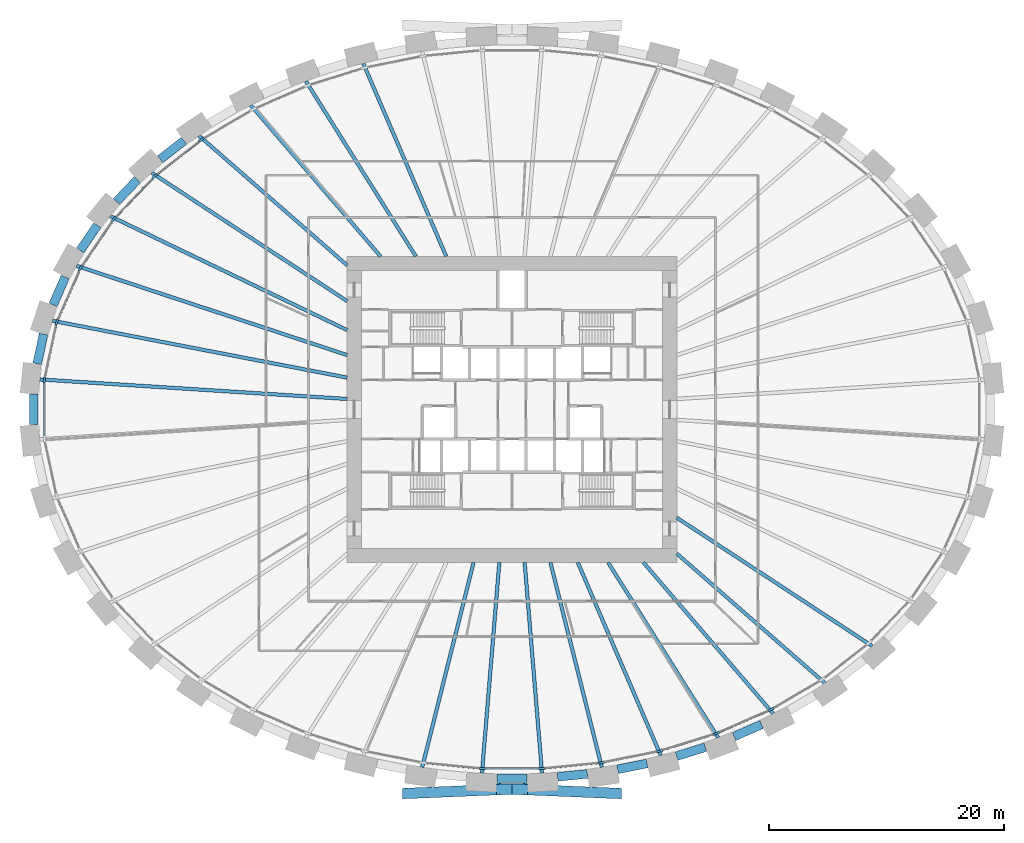
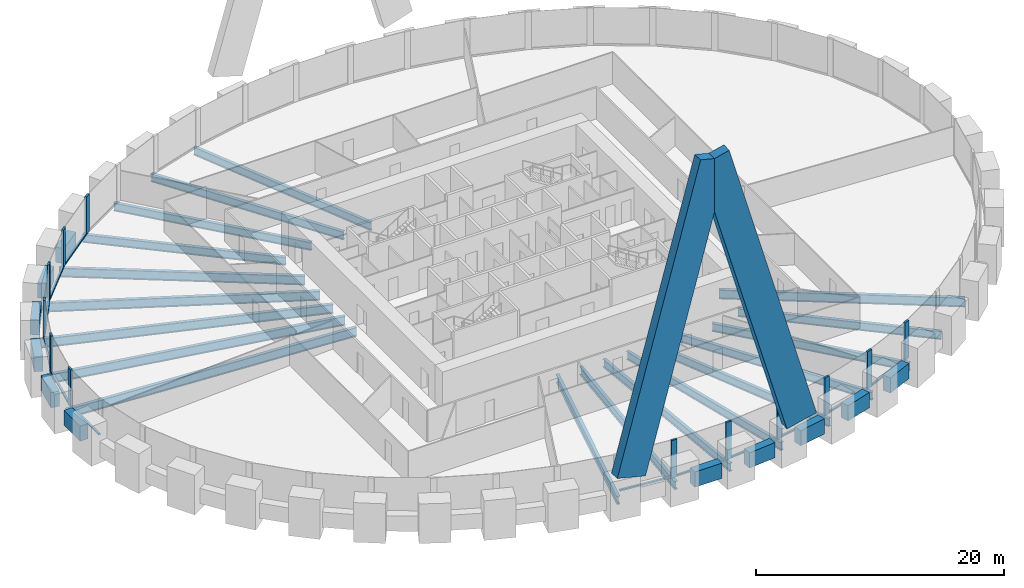
# One storey, part 2 of 10: 29 beams, 26 members, 1 element without a shape of its own.
"""IFC4 building model written with IfcOpenShell, lengths in metres."""

from ifc_helpers import new_model, si_unit, direction, frame, origin, origin_2d, place, context, subcontext, project, spatial, rectangle, i_section, extrude, source, transform, mapped, material, material_profile, profile_set, type_object, element, aggregate, save


model = new_model("IFC4")

# Units and contexts
model_context = context("Model", 3, precision=1e-05, world=origin(), true_north=direction((0.0, 1.0)))
body_context = subcontext(model_context, "Body", "Model", "MODEL_VIEW")
ifc_project = project(units=[si_unit("LENGTHUNIT", "METRE"), si_unit("AREAUNIT", "SQUARE_METRE"), si_unit("VOLUMEUNIT", "CUBIC_METRE"), si_unit("PLANEANGLEUNIT", "RADIAN"), si_unit("MASSUNIT", "GRAM", prefix="KILO")], contexts=[model_context])

# Site, building, storey
site_placement = place(None, origin())
site = spatial("IfcSite", under=ifc_project, at=site_placement, CompositionType="ELEMENT")
building_placement = place(site_placement, origin())
building = spatial("IfcBuilding", under=site, at=building_placement, Name="Embergate Tower", CompositionType="ELEMENT")
storey_placement = place(building_placement, frame((0.0, 0.0, 89.300048828125)))
storey = spatial("IfcBuildingStorey", under=building, at=storey_placement, Name="L18", CompositionType="ELEMENT", Elevation=89.300048828125)

# Beams
ifc_material_1 = material(Name="Concrete C70", Category="concrete")
ifc_material_profile_1 = material_profile(ifc_material_1, rectangle(XDim=0.75, YDim=1.5, at=origin_2d()), Name="RC 750x1500")
ifc_profile_set_1 = profile_set([ifc_material_profile_1], Name="Concrete C70")
beam_type_1 = type_object("IfcBeamType", Name="Spandrel beam RC 750x1500 C70", PredefinedType="BEAM", material=ifc_profile_set_1)
shared_shape_1 = source(origin(), body_context, "Body", "SweptSolid", [
    extrude(rectangle(XDim=0.75, YDim=1.5, at=origin_2d()), origin(), (0.0, 0.0, 1.0), 2.5869140625),
])
beam_1_placement = place(storey_placement, frame((-39.799072265625, 6.408935546875, 0.0), z_axis=(-0.210270227171, -0.977643304874, 0.0), x_axis=(0.977643304874, -0.210270227171, 0.0)))
element("IfcBeam", 1, at=beam_1_placement, inside=storey, type_object=beam_type_1, Name="SPN-L18-20", PredefinedType="BEAM", context=body_context, shape_type="MappedRepresentation", body=[
    mapped(shared_shape_1, transform((0.0, 0.0, 0.0))),
])
shared_shape_2 = source(origin(), body_context, "Body", "SweptSolid", [
    extrude(rectangle(XDim=0.75, YDim=1.5, at=origin_2d()), origin(), (0.0, 0.0, 1.0), 2.583251953125),
])
beam_2_placement = place(storey_placement, frame((-37.9619140625, 11.2490234375, 0.0), z_axis=(-0.401468201792, -0.915872962233, 0.0), x_axis=(0.915872962233, -0.401468201792, 0.0)))
element("IfcBeam", 2, at=beam_2_placement, inside=storey, type_object=beam_type_1, Name="SPN-L18-19", PredefinedType="BEAM", context=body_context, shape_type="MappedRepresentation", body=[
    mapped(shared_shape_2, transform((0.0, 0.0, 0.0))),
])
shared_shape_3 = source(origin(), body_context, "Body", "SweptSolid", [
    extrude(rectangle(XDim=0.75, YDim=1.5, at=origin_2d()), origin(), (0.0, 0.0, 1.0), 2.574951171875),
])
beam_3_placement = place(storey_placement, frame((-35.238037109375, 15.64306640625, 0.0), z_axis=(-0.562356702599, -0.826894756932, 0.0), x_axis=(0.826894756932, -0.562356702599, 0.0)))
element("IfcBeam", 3, at=beam_3_placement, inside=storey, type_object=beam_type_1, Name="SPN-L18-18", PredefinedType="BEAM", context=body_context, shape_type="MappedRepresentation", body=[
    mapped(shared_shape_3, transform((0.0, 0.0, 0.0))),
])
shared_shape_4 = source(origin(), body_context, "Body", "SweptSolid", [
    extrude(rectangle(XDim=0.75, YDim=1.5, at=origin_2d()), origin(), (0.0, 0.0, 1.0), 2.568115234375),
])
beam_4_placement = place(storey_placement, frame((-31.83203125, 19.52392578125, 0.0), z_axis=(-0.68998268655, -0.723825871506, 0.0), x_axis=(0.723825871506, -0.68998268655, 0.0)))
element("IfcBeam", 4, at=beam_4_placement, inside=storey, type_object=beam_type_1, Name="SPN-L18-17", PredefinedType="BEAM", context=body_context, shape_type="MappedRepresentation", body=[
    mapped(shared_shape_4, transform((0.0, 0.0, 0.0))),
])
shared_shape_5 = source(origin(), body_context, "Body", "SweptSolid", [
    extrude(rectangle(XDim=0.75, YDim=1.5, at=origin_2d()), origin(), (0.0, 0.0, 1.0), 2.560791015625),
])
beam_5_placement = place(storey_placement, frame((-27.8720703125, 22.8291015625, 0.0), z_axis=(-0.788437573921, -0.615114779557, 0.0), x_axis=(0.615114779557, -0.788437573921, 0.0)))
element("IfcBeam", 5, at=beam_5_placement, inside=storey, type_object=beam_type_1, Name="SPN-L18-16", PredefinedType="BEAM", context=body_context, shape_type="MappedRepresentation", body=[
    mapped(shared_shape_5, transform((0.0, 0.0, 0.0))),
])
shared_shape_6 = source(origin(), body_context, "Body", "SweptSolid", [
    extrude(rectangle(XDim=0.75, YDim=1.5, at=origin_2d()), origin(), (0.0, 0.0, 1.0), 2.552001953125),
])
beam_6_placement = place(storey_placement, frame((18.864990234375, -27.791015625, 0.0), z_axis=(0.916139768309, 0.400858983836, 0.0), x_axis=(-0.400858983836, 0.916139768309, 0.0)))
element("IfcBeam", 6, at=beam_6_placement, inside=storey, type_object=beam_type_1, Name="SPN-L18-36", PredefinedType="BEAM", context=body_context, shape_type="MappedRepresentation", body=[
    mapped(shared_shape_6, transform((0.0, 0.0, 0.0))),
])
shared_shape_7 = source(origin(), body_context, "Body", "SweptSolid", [
    extrude(rectangle(XDim=0.75, YDim=1.5, at=origin_2d()), origin(), (0.0, 0.0, 1.0), 2.55029296875),
])
beam_7_placement = place(storey_placement, frame((13.993896484375, -29.4580078125, 0.0), z_axis=(0.954803055826, 0.297239170678, 0.0), x_axis=(-0.297239170678, 0.954803055826, 0.0)))
element("IfcBeam", 7, at=beam_7_placement, inside=storey, type_object=beam_type_1, Name="SPN-L18-35", PredefinedType="BEAM", context=body_context, shape_type="MappedRepresentation", body=[
    mapped(shared_shape_7, transform((0.0, 0.0, 0.0))),
])
shared_shape_8 = source(origin(), body_context, "Body", "SweptSolid", [
    extrude(rectangle(XDim=0.75, YDim=1.5, at=origin_2d()), origin(), (0.0, 0.0, 1.0), 2.546875),
])
beam_8_placement = place(storey_placement, frame((8.972900390625, -30.58203125, 0.0), z_axis=(0.980462515934, 0.196706011214, 0.0), x_axis=(-0.196706011214, 0.980462515934, 0.0)))
element("IfcBeam", 8, at=beam_8_placement, inside=storey, type_object=beam_type_1, Name="SPN-L18-34", PredefinedType="BEAM", context=body_context, shape_type="MappedRepresentation", body=[
    mapped(shared_shape_8, transform((0.0, 0.0, 0.0))),
])
shared_shape_9 = source(origin(), body_context, "Body", "SweptSolid", [
    extrude(rectangle(XDim=0.75, YDim=1.5, at=origin_2d()), origin(), (0.0, 0.0, 1.0), 2.544189453125),
])
beam_9_placement = place(storey_placement, frame((3.8701171875, -31.215087890625, 0.0), z_axis=(0.995198330328, 0.097878921698, 0.0), x_axis=(-0.097878921698, 0.995198330328, 0.0)))
element("IfcBeam", 9, at=beam_9_placement, inside=storey, type_object=beam_type_1, Name="SPN-L18-33", PredefinedType="BEAM", context=body_context, shape_type="MappedRepresentation", body=[
    mapped(shared_shape_9, transform((0.0, 0.0, 0.0))),
])
shared_shape_10 = source(origin(), body_context, "Body", "SweptSolid", [
    extrude(rectangle(XDim=0.75, YDim=1.5, at=origin_2d()), origin(), (0.0, 0.0, 1.0), 2.5458984375),
])
beam_10_placement = place(storey_placement, frame((-1.27294921875, -31.342041015625, 0.0), z_axis=(1.0, 0.0, 0.0), x_axis=(0.0, 1.0, 0.0)))
element("IfcBeam", 10, at=beam_10_placement, inside=storey, type_object=beam_type_1, Name="SPN-L18-32", PredefinedType="BEAM", context=body_context, shape_type="MappedRepresentation", body=[
    mapped(shared_shape_10, transform((0.0, 0.0, 0.0))),
])
shared_shape_11 = source(origin(), body_context, "Body", "SweptSolid", [
    extrude(rectangle(XDim=0.75, YDim=1.5, at=origin_2d()), origin(), (0.0, 0.0, 1.0), 2.59423828125),
])
beam_11_placement = place(storey_placement, frame((-40.637939453125, 1.297119140625, 0.0), z_axis=(0.0, -1.0, 0.0), x_axis=(1.0, 0.0, 0.0)))
element("IfcBeam", 11, at=beam_11_placement, inside=storey, type_object=beam_type_1, Name="SPN-L18-21", PredefinedType="BEAM", context=body_context, shape_type="MappedRepresentation", body=[
    mapped(shared_shape_11, transform((0.0, 0.0, 0.0))),
])
ifc_material_2 = material(Name="Steel Q355B", Category="steel")
ifc_material_profile_2 = material_profile(ifc_material_2, i_section(OverallWidth=0.300048828125, OverallDepth=0.89990234375, WebThickness=0.01611328125, FlangeThickness=0.028076171875, FilletRadius=0.028076171875, at=origin_2d()), Name="HN 900x300x16x28")
ifc_profile_set_2 = profile_set([ifc_material_profile_2], Name="Steel Q355 grade B")
beam_type_2 = type_object("IfcBeamType", Name="Radial girder HN 900x300x16x28", PredefinedType="BEAM", material=ifc_profile_set_2)
shared_shape_12 = source(origin(), body_context, "Body", "SweptSolid", [
    extrude(i_section(OverallWidth=0.300048828125, OverallDepth=0.89990234375, WebThickness=0.01611328125, FlangeThickness=0.028076171875, FilletRadius=0.028076171875, at=origin_2d()), origin(), (0.0, 0.0, 1.0), 26.17578125),
])
beam_12_placement = place(storey_placement, frame((-40.123046875, 2.549072265625, -0.650146484375), z_axis=(0.997989066798, -0.063386296243, 0.0), x_axis=(0.063386296243, 0.997989066798, 0.0)))
element("IfcBeam", 12, at=beam_12_placement, inside=storey, type_object=beam_type_2, Name="GIR-L18-21", PredefinedType="BEAM", context=body_context, shape_type="MappedRepresentation", body=[
    mapped(shared_shape_12, transform((0.0, 0.0, 0.0))),
])
shared_shape_13 = source(origin(), body_context, "Body", "SweptSolid", [
    extrude(i_section(OverallWidth=0.300048828125, OverallDepth=0.89990234375, WebThickness=0.01611328125, FlangeThickness=0.028076171875, FilletRadius=0.028076171875, at=origin_2d()), origin(), (0.0, 0.0, 1.0), 25.5126953125),
])
beam_13_placement = place(storey_placement, frame((-39.051025390625, 7.532958984375, -0.650146484375), z_axis=(0.981900703084, -0.189396434187, 0.0), x_axis=(0.189396434187, 0.981900703084, 0.0)))
element("IfcBeam", 13, at=beam_13_placement, inside=storey, type_object=beam_type_2, Name="GIR-L18-20", PredefinedType="BEAM", context=body_context, shape_type="MappedRepresentation", body=[
    mapped(shared_shape_13, transform((0.0, 0.0, 0.0))),
])
shared_shape_14 = source(origin(), body_context, "Body", "SweptSolid", [
    extrude(i_section(OverallWidth=0.300048828125, OverallDepth=0.89990234375, WebThickness=0.01611328125, FlangeThickness=0.028076171875, FilletRadius=0.028076171875, at=origin_2d()), origin(), (0.0, 0.0, 1.0), 24.221435546875),
])
beam_14_placement = place(storey_placement, frame((-37.0029296875, 12.202880859375, -0.650146484375), z_axis=(0.949690422, -0.313190201575, 0.0), x_axis=(0.313190201575, 0.949690422, 0.0)))
element("IfcBeam", 14, at=beam_14_placement, inside=storey, type_object=beam_type_2, Name="GIR-L18-19", PredefinedType="BEAM", context=body_context, shape_type="MappedRepresentation", body=[
    mapped(shared_shape_14, transform((0.0, 0.0, 0.0))),
])
shared_shape_15 = source(origin(), body_context, "Body", "SweptSolid", [
    extrude(i_section(OverallWidth=0.300048828125, OverallDepth=0.89990234375, WebThickness=0.01611328125, FlangeThickness=0.028076171875, FilletRadius=0.028076171875, at=origin_2d()), origin(), (0.0, 0.0, 1.0), 22.343505859375),
])
beam_15_placement = place(storey_placement, frame((-34.135009765625, 16.4208984375, -0.650146484375), z_axis=(0.901156313857, -0.433494288308, 0.0), x_axis=(0.433494288308, 0.901156313857, 0.0)))
element("IfcBeam", 15, at=beam_15_placement, inside=storey, type_object=beam_type_2, Name="GIR-L18-18", PredefinedType="BEAM", context=body_context, shape_type="MappedRepresentation", body=[
    mapped(shared_shape_15, transform((0.0, 0.0, 0.0))),
])
shared_shape_16 = source(origin(), body_context, "Body", "SweptSolid", [
    extrude(i_section(OverallWidth=0.300048828125, OverallDepth=0.89990234375, WebThickness=0.01611328125, FlangeThickness=0.028076171875, FilletRadius=0.028076171875, at=origin_2d()), origin(), (0.0, 0.0, 1.0), 19.8779296875),
])
for number, where, z_axis, x_axis, name in (
    (16, (-30.613037109375, 20.113037109375, -0.650146484375), (0.835753953274, -0.549104115434, 0.0), (0.549104115434, 0.835753953274, 0.0), "GIR-L18-17"),
    (17, (30.613037109375, -20.113037109375, -0.650146484375), (-0.835753953274, 0.549104115434, 0.0), (-0.549104115434, -0.835753953274, 0.0), "GIR-L18-39"),
):
    element("IfcBeam", number, at=place(storey_placement, frame(where, z_axis=z_axis, x_axis=x_axis)), inside=storey, type_object=beam_type_2, Name=name, PredefinedType="BEAM", context=body_context, shape_type="MappedRepresentation", body=[
        mapped(shared_shape_16, transform((0.0, 0.0, 0.0))),
    ])
ifc_material_profile_3 = material_profile(ifc_material_2, i_section(OverallWidth=0.300048828125, OverallDepth=0.800048828125, WebThickness=0.013916015625, FlangeThickness=0.02587890625, FilletRadius=0.028076171875, at=origin_2d()), Name="HN 800x300x14x26")
ifc_profile_set_3 = profile_set([ifc_material_profile_3], Name="Steel Q355 grade B")
beam_type_3 = type_object("IfcBeamType", Name="Radial girder HN 800x300x14x26", PredefinedType="BEAM", material=ifc_profile_set_3)
shared_shape_17 = source(origin(), body_context, "Body", "SweptSolid", [
    extrude(i_section(OverallWidth=0.300048828125, OverallDepth=0.800048828125, WebThickness=0.013916015625, FlangeThickness=0.02587890625, FilletRadius=0.028076171875, at=origin_2d()), origin(), (0.0, 0.0, 1.0), 16.72509765625),
])
for number, where, z_axis, x_axis, name in (
    (18, (-26.590087890625, 23.2529296875, -0.60009765625), (0.752763844536, -0.658290660999, 0.0), (0.658290660999, 0.752763844536, 0.0), "GIR-L18-16"),
    (19, (26.590087890625, -23.2529296875, -0.60009765625), (-0.752763844536, 0.658290660999, 0.0), (-0.658290660999, -0.752763844536, 0.0), "GIR-L18-38"),
):
    element("IfcBeam", number, at=place(storey_placement, frame(where, z_axis=z_axis, x_axis=x_axis)), inside=storey, type_object=beam_type_3, Name=name, PredefinedType="BEAM", context=body_context, shape_type="MappedRepresentation", body=[
        mapped(shared_shape_17, transform((0.0, 0.0, 0.0))),
    ])
shared_shape_18 = source(origin(), body_context, "Body", "SweptSolid", [
    extrude(i_section(OverallWidth=0.300048828125, OverallDepth=0.800048828125, WebThickness=0.013916015625, FlangeThickness=0.02587890625, FilletRadius=0.028076171875, at=origin_2d()), origin(), (0.0, 0.0, 1.0), 16.924560546875),
])
for number, where, z_axis, x_axis, name in (
    (20, (-22.18994140625, 25.840087890625, -0.60009765625), (0.651475377488, -0.758669778314, 0.0), (0.758669778314, 0.651475377488, 0.0), "GIR-L18-15"),
    (21, (22.18994140625, -25.840087890625, -0.60009765625), (-0.651475377488, 0.758669778314, 0.0), (-0.758669778314, -0.651475377488, 0.0), "GIR-L18-37"),
):
    element("IfcBeam", number, at=place(storey_placement, frame(where, z_axis=z_axis, x_axis=x_axis)), inside=storey, type_object=beam_type_3, Name=name, PredefinedType="BEAM", context=body_context, shape_type="MappedRepresentation", body=[
        mapped(shared_shape_18, transform((0.0, 0.0, 0.0))),
    ])
shared_shape_19 = source(origin(), body_context, "Body", "SweptSolid", [
    extrude(i_section(OverallWidth=0.300048828125, OverallDepth=0.800048828125, WebThickness=0.013916015625, FlangeThickness=0.02587890625, FilletRadius=0.028076171875, at=origin_2d()), origin(), (0.0, 0.0, 1.0), 17.578125),
])
for number, where, z_axis, x_axis, name in (
    (22, (-17.512939453125, 27.885986328125, -0.60009765625), (0.53184411478, -0.846842274319, 0.0), (0.846842274319, 0.53184411478, 0.0), "GIR-L18-14"),
    (23, (17.512939453125, -27.885986328125, -0.60009765625), (-0.53184411478, 0.846842274319, 0.0), (-0.846842274319, -0.53184411478, 0.0), "GIR-L18-36"),
):
    element("IfcBeam", number, at=place(storey_placement, frame(where, z_axis=z_axis, x_axis=x_axis)), inside=storey, type_object=beam_type_3, Name=name, PredefinedType="BEAM", context=body_context, shape_type="MappedRepresentation", body=[
        mapped(shared_shape_19, transform((0.0, 0.0, 0.0))),
    ])
shared_shape_20 = source(origin(), body_context, "Body", "SweptSolid", [
    extrude(i_section(OverallWidth=0.300048828125, OverallDepth=0.800048828125, WebThickness=0.013916015625, FlangeThickness=0.02587890625, FilletRadius=0.028076171875, at=origin_2d()), origin(), (0.0, 0.0, 1.0), 17.854248046875),
])
for number, where, z_axis, x_axis, name in (
    (24, (-12.638916015625, 29.403076171875, -0.60009765625), (0.394919154383, -0.918715876374, 0.0), (0.918715876374, 0.394919154383, 0.0), "GIR-L18-13"),
    (25, (12.638916015625, -29.403076171875, -0.60009765625), (-0.394919154383, 0.918715876374, 0.0), (-0.918715876374, -0.394919154383, 0.0), "GIR-L18-35"),
):
    element("IfcBeam", number, at=place(storey_placement, frame(where, z_axis=z_axis, x_axis=x_axis)), inside=storey, type_object=beam_type_3, Name=name, PredefinedType="BEAM", context=body_context, shape_type="MappedRepresentation", body=[
        mapped(shared_shape_20, transform((0.0, 0.0, 0.0))),
    ])
shared_shape_21 = source(origin(), body_context, "Body", "SweptSolid", [
    extrude(i_section(OverallWidth=0.300048828125, OverallDepth=0.800048828125, WebThickness=0.013916015625, FlangeThickness=0.02587890625, FilletRadius=0.028076171875, at=origin_2d()), origin(), (0.0, 0.0, 1.0), 17.947265625),
])
for number, where, z_axis, x_axis, name in (
    (26, (-7.633056640625, -30.406982421875, -0.60009765625), (0.243498938638, 0.969901163461, 0.0), (-0.969901163461, 0.243498938638, 0.0), "GIR-L18-31"),
    (27, (7.633056640625, -30.406982421875, -0.60009765625), (-0.243498938638, 0.969901163461, 0.0), (-0.969901163461, -0.243498938638, 0.0), "GIR-L18-34"),
):
    element("IfcBeam", number, at=place(storey_placement, frame(where, z_axis=z_axis, x_axis=x_axis)), inside=storey, type_object=beam_type_3, Name=name, PredefinedType="BEAM", context=body_context, shape_type="MappedRepresentation", body=[
        mapped(shared_shape_21, transform((0.0, 0.0, 0.0))),
    ])
shared_shape_22 = source(origin(), body_context, "Body", "SweptSolid", [
    extrude(i_section(OverallWidth=0.300048828125, OverallDepth=0.800048828125, WebThickness=0.013916015625, FlangeThickness=0.02587890625, FilletRadius=0.028076171875, at=origin_2d()), origin(), (0.0, 0.0, 1.0), 17.968017578125),
])
for number, where, z_axis, x_axis, name in (
    (28, (-2.552978515625, -30.906982421875, -0.60009765625), (0.082313416138, 0.996606492816, 0.0), (-0.996606492816, 0.082313416138, 0.0), "GIR-L18-32"),
    (29, (2.552978515625, -30.906982421875, -0.60009765625), (-0.082313416138, 0.996606492816, 0.0), (-0.996606492816, -0.082313416138, 0.0), "GIR-L18-33"),
):
    element("IfcBeam", number, at=place(storey_placement, frame(where, z_axis=z_axis, x_axis=x_axis)), inside=storey, type_object=beam_type_3, Name=name, PredefinedType="BEAM", context=body_context, shape_type="MappedRepresentation", body=[
        mapped(shared_shape_22, transform((0.0, 0.0, 0.0))),
    ])

# Members
ifc_material_profile_4 = material_profile(ifc_material_1, rectangle(XDim=0.89990234375, YDim=2.800048828125, at=origin_2d()), Name="RC 900x2800")
ifc_profile_set_4 = profile_set([ifc_material_profile_4], Name="Concrete C70")
member_type_1 = type_object("IfcMemberType", Name="Lattice diagonal terracotta-faced RC 900x2800", PredefinedType="BRACE", material=ifc_profile_set_4)
shared_shape_23 = source(origin(), body_context, "Body", "SweptSolid", [
    extrude(rectangle(XDim=0.89990234375, YDim=2.800048828125, at=origin_2d()), origin(), (0.0, 0.0, 1.0), 29.514892578125),
])
for number, where, z_axis, x_axis, name in (
    (30, (-7.95703125, -32.5830078125, 3.3798828125), (0.269593534164, 0.011249607464, 0.962908496519), (-0.041691749772, 0.999130521004, 0.0), "BRP-S-0-04"),
    (31, (7.95703125, -32.5830078125, 3.3798828125), (-0.269593534164, 0.011249607464, 0.962908496519), (-0.041691749772, -0.999130521004, 0.0), "BRP-S-1-04"),
):
    element("IfcMember", number, at=place(storey_placement, frame(where, z_axis=z_axis, x_axis=x_axis)), inside=storey, type_object=member_type_1, Name=name, PredefinedType="BRACE", context=body_context, shape_type="MappedRepresentation", body=[
        mapped(shared_shape_23, transform((0.0, 0.0, 0.0))),
    ])

# Curtain wall, members
ifc_material_3 = material(Name="Aluminium and glass", Category="aluminium")
curtain_wall_type = type_object("IfcCurtainWallType", Name="Recessed office glazing", PredefinedType="NOTDEFINED", material=ifc_material_3)
curtain_wall_placement = place(storey_placement, origin())
curtain_wall = element("IfcCurtainWall", 32, at=curtain_wall_placement, inside=storey, type_object=curtain_wall_type, Name="Recessed office glazing ring", ObjectType="RECESSED OFFICE GLAZING", PredefinedType="USERDEFINED")
ifc_material_4 = material(Name="Aluminium, thermally broken", Category="aluminium")
ifc_material_profile_5 = material_profile(ifc_material_4, rectangle(XDim=0.179931640625, YDim=0.52001953125, at=origin_2d()), Name="AL 520x180")
ifc_profile_set_5 = profile_set([ifc_material_profile_5], Name="Aluminium, thermally broken")
member_type_2 = type_object("IfcMemberType", Name="Office mullion", PredefinedType="MULLION", material=ifc_profile_set_5)
shared_shape_24 = source(origin(), body_context, "Body", "SweptSolid", [
    extrude(rectangle(XDim=0.179931640625, YDim=0.52001953125, at=origin_2d()), origin(), (0.0, 0.0, 1.0), 3.699951171875),
])
member_1_placement = place(storey_placement, frame((-26.37158203125, 22.930419921875, 0.0), z_axis=(0.0, 0.0, 1.0), x_axis=(0.562217618544, -0.826989328467, 0.0)))
member_1 = element("IfcMember", 33, at=member_1_placement, type_object=member_type_2, Name="CW mullion 17", PredefinedType="MULLION", context=body_context, shape_type="MappedRepresentation", body=[
    mapped(shared_shape_24, transform((0.0, 0.0, 0.0))),
])
member_2_placement = place(storey_placement, frame((-30.352294921875, 19.823486328125, 0.0), z_axis=(0.0, 0.0, 1.0), x_axis=(0.671229121411, -0.741249935292, 0.0)))
member_2 = element("IfcMember", 34, at=member_2_placement, type_object=member_type_2, Name="CW mullion 18", PredefinedType="MULLION", context=body_context, shape_type="MappedRepresentation", body=[
    mapped(shared_shape_24, transform((0.0, 0.0, 0.0))),
])
member_3_placement = place(storey_placement, frame((-33.831787109375, 16.1748046875, 0.0), z_axis=(0.0, 0.0, 1.0), x_axis=(0.777875854755, -0.628417977615, 0.0)))
member_3 = element("IfcMember", 35, at=member_3_placement, type_object=member_type_2, Name="CW mullion 19", PredefinedType="MULLION", context=body_context, shape_type="MappedRepresentation", body=[
    mapped(shared_shape_24, transform((0.0, 0.0, 0.0))),
])
member_4_placement = place(storey_placement, frame((-36.662109375, 12.012939453125, 0.0), z_axis=(0.0, 0.0, 1.0), x_axis=(0.875005275602, -0.484113383071, 0.0)))
member_4 = element("IfcMember", 36, at=member_4_placement, type_object=member_type_2, Name="CW mullion 20", PredefinedType="MULLION", context=body_context, shape_type="MappedRepresentation", body=[
    mapped(shared_shape_24, transform((0.0, 0.0, 0.0))),
])
member_5_placement = place(storey_placement, frame((-38.68017578125, 7.412109375, 0.0), z_axis=(0.0, 0.0, 1.0), x_axis=(0.95149940886, -0.307650572791, 0.0)))
member_5 = element("IfcMember", 37, at=member_5_placement, type_object=member_type_2, Name="CW mullion 21", PredefinedType="MULLION", context=body_context, shape_type="MappedRepresentation", body=[
    mapped(shared_shape_24, transform((0.0, 0.0, 0.0))),
])
member_6_placement = place(storey_placement, frame((-39.735595703125, 2.507080078125, 0.0), z_axis=(0.0, 0.0, 1.0), x_axis=(0.994385139431, -0.105821521816, 0.0)))
member_6 = element("IfcMember", 38, at=member_6_placement, type_object=member_type_2, Name="CW mullion 22", PredefinedType="MULLION", context=body_context, shape_type="MappedRepresentation", body=[
    mapped(shared_shape_24, transform((0.0, 0.0, 0.0))),
])
member_7_placement = place(storey_placement, frame((-2.53369140625, -30.51708984375, 0.0), z_axis=(0.0, 0.0, 1.0), x_axis=(0.048971796621, 0.998800161762, 0.0)))
member_7 = element("IfcMember", 39, at=member_7_placement, type_object=member_type_2, Name="CW mullion 33", PredefinedType="MULLION", context=body_context, shape_type="MappedRepresentation", body=[
    mapped(shared_shape_24, transform((0.0, 0.0, 0.0))),
])
member_8_placement = place(storey_placement, frame((2.53369140625, -30.51708984375, 0.0), z_axis=(0.0, 0.0, 1.0), x_axis=(-0.048971796621, 0.998800161762, 0.0)))
member_8 = element("IfcMember", 40, at=member_8_placement, type_object=member_type_2, Name="CW mullion 34", PredefinedType="MULLION", context=body_context, shape_type="MappedRepresentation", body=[
    mapped(shared_shape_24, transform((0.0, 0.0, 0.0))),
])
member_9_placement = place(storey_placement, frame((7.576171875, -30.021484375, 0.0), z_axis=(0.0, 0.0, 1.0), x_axis=(-0.147412382818, 0.989075118174, 0.0)))
member_9 = element("IfcMember", 41, at=member_9_placement, type_object=member_type_2, Name="CW mullion 35", PredefinedType="MULLION", context=body_context, shape_type="MappedRepresentation", body=[
    mapped(shared_shape_24, transform((0.0, 0.0, 0.0))),
])
member_10_placement = place(storey_placement, frame((12.54296875, -29.025390625, 0.0), z_axis=(0.0, 0.0, 1.0), x_axis=(-0.24731188137, 0.968935928394, 0.0)))
member_10 = element("IfcMember", 42, at=member_10_placement, type_object=member_type_2, Name="CW mullion 36", PredefinedType="MULLION", context=body_context, shape_type="MappedRepresentation", body=[
    mapped(shared_shape_24, transform((0.0, 0.0, 0.0))),
])
member_11_placement = place(storey_placement, frame((17.377197265625, -27.519775390625, 0.0), z_axis=(0.0, 0.0, 1.0), x_axis=(-0.349502682851, 0.936935363128, 0.0)))
member_11 = element("IfcMember", 43, at=member_11_placement, type_object=member_type_2, Name="CW mullion 37", PredefinedType="MULLION", context=body_context, shape_type="MappedRepresentation", body=[
    mapped(shared_shape_24, transform((0.0, 0.0, 0.0))),
])
member_12_placement = place(storey_placement, frame((22.013427734375, -25.49267578125, 0.0), z_axis=(0.0, 0.0, 1.0), x_axis=(-0.454511380526, 0.890740930334, 0.0)))
member_12 = element("IfcMember", 44, at=member_12_placement, type_object=member_type_2, Name="CW mullion 38", PredefinedType="MULLION", context=body_context, shape_type="MappedRepresentation", body=[
    mapped(shared_shape_24, transform((0.0, 0.0, 0.0))),
])
ifc_material_profile_6 = material_profile(ifc_material_4, rectangle(XDim=0.179931640625, YDim=0.14990234375, at=origin_2d()), Name="AL 150x180")
ifc_profile_set_6 = profile_set([ifc_material_profile_6], Name="Aluminium, thermally broken")
member_type_3 = type_object("IfcMemberType", Name="Office sill transom", PredefinedType="USERDEFINED", material=ifc_profile_set_6)
shared_shape_25 = source(origin(), body_context, "Body", "SweptSolid", [
    extrude(rectangle(XDim=0.179931640625, YDim=0.14990234375, at=origin_2d()), origin(), (0.0, 0.0, 1.0), 4.529296875),
])
member_13_placement = place(storey_placement, frame((-26.57666015625, 22.7705078125, 0.074951171875), z_axis=(-0.788306218653, -0.615283110148, 0.0), x_axis=(0.615283110148, -0.788306218653, 0.0)))
member_13 = element("IfcMember", 45, at=member_13_placement, type_object=member_type_3, Name="CW transom 17.1", ObjectType="TRANSOM", PredefinedType="USERDEFINED", context=body_context, shape_type="MappedRepresentation", body=[
    mapped(shared_shape_25, transform((0.0, 0.0, 0.0))),
])
shared_shape_26 = source(origin(), body_context, "Body", "SweptSolid", [
    extrude(rectangle(XDim=0.179931640625, YDim=0.14990234375, at=origin_2d()), origin(), (0.0, 0.0, 1.0), 4.496826171875),
])
member_14_placement = place(storey_placement, frame((-38.73486328125, 7.15771484375, 0.074951171875), z_axis=(-0.210378069806, -0.977620104, 0.0), x_axis=(0.977620104, -0.210378069806, 0.0)))
member_14 = element("IfcMember", 46, at=member_14_placement, type_object=member_type_3, Name="CW transom 21.1", ObjectType="TRANSOM", PredefinedType="USERDEFINED", context=body_context, shape_type="MappedRepresentation", body=[
    mapped(shared_shape_26, transform((0.0, 0.0, 0.0))),
])
shared_shape_27 = source(origin(), body_context, "Body", "SweptSolid", [
    extrude(rectangle(XDim=0.179931640625, YDim=0.14990234375, at=origin_2d()), origin(), (0.0, 0.0, 1.0), 4.504150390625),
])
member_15_placement = place(storey_placement, frame((-36.7666015625, 11.77490234375, 0.074951171875), z_axis=(-0.401657507377, -0.915789957778, 0.0), x_axis=(0.915789957778, -0.401657507377, 0.0)))
member_15 = element("IfcMember", 47, at=member_15_placement, type_object=member_type_3, Name="CW transom 20.1", ObjectType="TRANSOM", PredefinedType="USERDEFINED", context=body_context, shape_type="MappedRepresentation", body=[
    mapped(shared_shape_27, transform((0.0, 0.0, 0.0))),
])
shared_shape_28 = source(origin(), body_context, "Body", "SweptSolid", [
    extrude(rectangle(XDim=0.179931640625, YDim=0.14990234375, at=origin_2d()), origin(), (0.0, 0.0, 1.0), 4.51318359375),
])
member_16_placement = place(storey_placement, frame((-33.97802734375, 15.9599609375, 0.074951171875), z_axis=(-0.562329256749, -0.82691342171, 0.0), x_axis=(0.82691342171, -0.562329256749, 0.0)))
member_16 = element("IfcMember", 48, at=member_16_placement, type_object=member_type_3, Name="CW transom 19.1", ObjectType="TRANSOM", PredefinedType="USERDEFINED", context=body_context, shape_type="MappedRepresentation", body=[
    mapped(shared_shape_28, transform((0.0, 0.0, 0.0))),
])
shared_shape_29 = source(origin(), body_context, "Body", "SweptSolid", [
    extrude(rectangle(XDim=0.179931640625, YDim=0.14990234375, at=origin_2d()), origin(), (0.0, 0.0, 1.0), 4.52197265625),
])
member_17_placement = place(storey_placement, frame((-30.531494140625, 19.635498046875, 0.074951171875), z_axis=(-0.690144384651, -0.723671699277, 0.0), x_axis=(0.723671699277, -0.690144384651, 0.0)))
member_17 = element("IfcMember", 49, at=member_17_placement, type_object=member_type_3, Name="CW transom 18.1", ObjectType="TRANSOM", PredefinedType="USERDEFINED", context=body_context, shape_type="MappedRepresentation", body=[
    mapped(shared_shape_29, transform((0.0, 0.0, 0.0))),
])
shared_shape_30 = source(origin(), body_context, "Body", "SweptSolid", [
    extrude(rectangle(XDim=0.179931640625, YDim=0.14990234375, at=origin_2d()), origin(), (0.0, 0.0, 1.0), 4.540283203125),
])
member_18_placement = place(storey_placement, frame((17.615478515625, -27.415771484375, 0.074951171875), z_axis=(0.91622766565, 0.400658039601, 0.0), x_axis=(-0.400658039601, 0.91622766565, 0.0)))
member_18 = element("IfcMember", 50, at=member_18_placement, type_object=member_type_3, Name="CW transom 37.1", ObjectType="TRANSOM", PredefinedType="USERDEFINED", context=body_context, shape_type="MappedRepresentation", body=[
    mapped(shared_shape_30, transform((0.0, 0.0, 0.0))),
])
shared_shape_31 = source(origin(), body_context, "Body", "SweptSolid", [
    extrude(rectangle(XDim=0.179931640625, YDim=0.14990234375, at=origin_2d()), origin(), (0.0, 0.0, 1.0), 4.54345703125),
])
member_19_placement = place(storey_placement, frame((12.791259765625, -28.947998046875, 0.074951171875), z_axis=(0.954777820435, 0.297320220648, 0.0), x_axis=(-0.297320220648, 0.954777820435, 0.0)))
member_19 = element("IfcMember", 51, at=member_19_placement, type_object=member_type_3, Name="CW transom 36.1", ObjectType="TRANSOM", PredefinedType="USERDEFINED", context=body_context, shape_type="MappedRepresentation", body=[
    mapped(shared_shape_31, transform((0.0, 0.0, 0.0))),
])
shared_shape_32 = source(origin(), body_context, "Body", "SweptSolid", [
    extrude(rectangle(XDim=0.179931640625, YDim=0.14990234375, at=origin_2d()), origin(), (0.0, 0.0, 1.0), 4.54541015625),
])
member_20_placement = place(storey_placement, frame((7.831298828125, -29.97021484375, 0.074951171875), z_axis=(0.980477251105, 0.196632550879, 0.0), x_axis=(-0.196632550879, 0.980477251105, 0.0)))
member_20 = element("IfcMember", 52, at=member_20_placement, type_object=member_type_3, Name="CW transom 35.1", ObjectType="TRANSOM", PredefinedType="USERDEFINED", context=body_context, shape_type="MappedRepresentation", body=[
    mapped(shared_shape_32, transform((0.0, 0.0, 0.0))),
])
shared_shape_33 = source(origin(), body_context, "Body", "SweptSolid", [
    extrude(rectangle(XDim=0.179931640625, YDim=0.14990234375, at=origin_2d()), origin(), (0.0, 0.0, 1.0), 4.546630859375),
])
member_21_placement = place(storey_placement, frame((-7.3173828125, -30.046875, 0.074951171875), z_axis=(0.995202726131, -0.097834216414, 0.0), x_axis=(0.097834216414, 0.995202726131, 0.0)))
member_21 = element("IfcMember", 53, at=member_21_placement, type_object=member_type_3, Name="CW transom 32.1", ObjectType="TRANSOM", PredefinedType="USERDEFINED", context=body_context, shape_type="MappedRepresentation", body=[
    mapped(shared_shape_33, transform((0.0, 0.0, 0.0))),
])
member_22_placement = place(storey_placement, frame((2.79248046875, -30.49169921875, 0.074951171875), z_axis=(0.995202726131, 0.097834216414, 0.0), x_axis=(-0.097834216414, 0.995202726131, 0.0)))
member_22 = element("IfcMember", 54, at=member_22_placement, type_object=member_type_3, Name="CW transom 34.1", ObjectType="TRANSOM", PredefinedType="USERDEFINED", context=body_context, shape_type="MappedRepresentation", body=[
    mapped(shared_shape_33, transform((0.0, 0.0, 0.0))),
])
shared_shape_34 = source(origin(), body_context, "Body", "SweptSolid", [
    extrude(rectangle(XDim=0.179931640625, YDim=0.14990234375, at=origin_2d()), origin(), (0.0, 0.0, 1.0), 4.54736328125),
])
member_23_placement = place(storey_placement, frame((-2.273681640625, -30.51708984375, 0.074951171875), z_axis=(1.0, 0.0, 0.0), x_axis=(0.0, 1.0, 0.0)))
member_23 = element("IfcMember", 55, at=member_23_placement, type_object=member_type_3, Name="CW transom 33.1", ObjectType="TRANSOM", PredefinedType="USERDEFINED", context=body_context, shape_type="MappedRepresentation", body=[
    mapped(shared_shape_34, transform((0.0, 0.0, 0.0))),
])
shared_shape_35 = source(origin(), body_context, "Body", "SweptSolid", [
    extrude(rectangle(XDim=0.179931640625, YDim=0.14990234375, at=origin_2d()), origin(), (0.0, 0.0, 1.0), 4.49462890625),
])
member_24_placement = place(storey_placement, frame((-39.735595703125, 2.247314453125, 0.074951171875), z_axis=(0.0, -1.0, 0.0), x_axis=(1.0, 0.0, 0.0)))
member_24 = element("IfcMember", 56, at=member_24_placement, type_object=member_type_3, Name="CW transom 22.1", ObjectType="TRANSOM", PredefinedType="USERDEFINED", context=body_context, shape_type="MappedRepresentation", body=[
    mapped(shared_shape_35, transform((0.0, 0.0, 0.0))),
])
aggregate(curtain_wall, [member_1, member_2, member_3, member_4, member_5, member_6, member_7, member_8, member_9, member_10, member_11, member_12, member_13, member_17, member_16, member_15, member_14, member_24, member_21, member_23, member_22, member_20, member_19, member_18])

save(model, "model.ifc")
